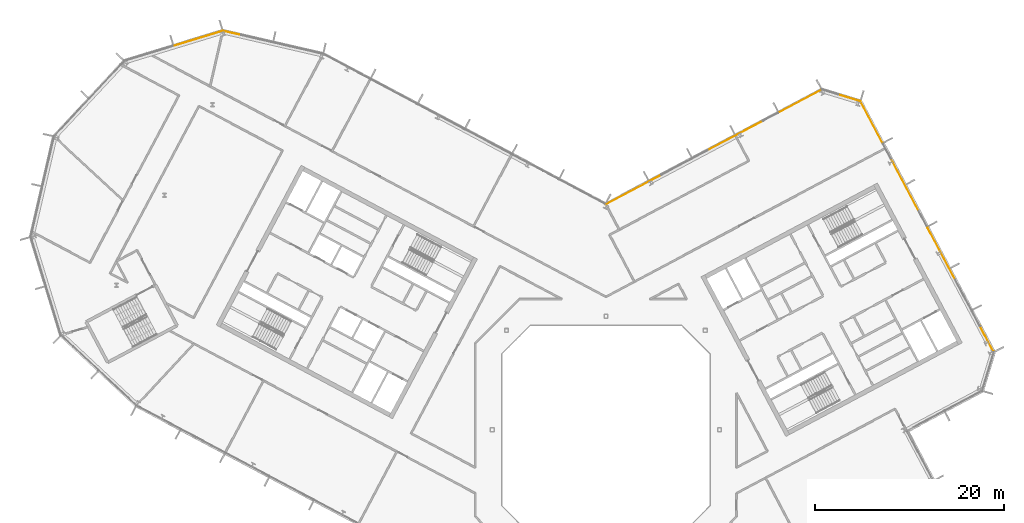
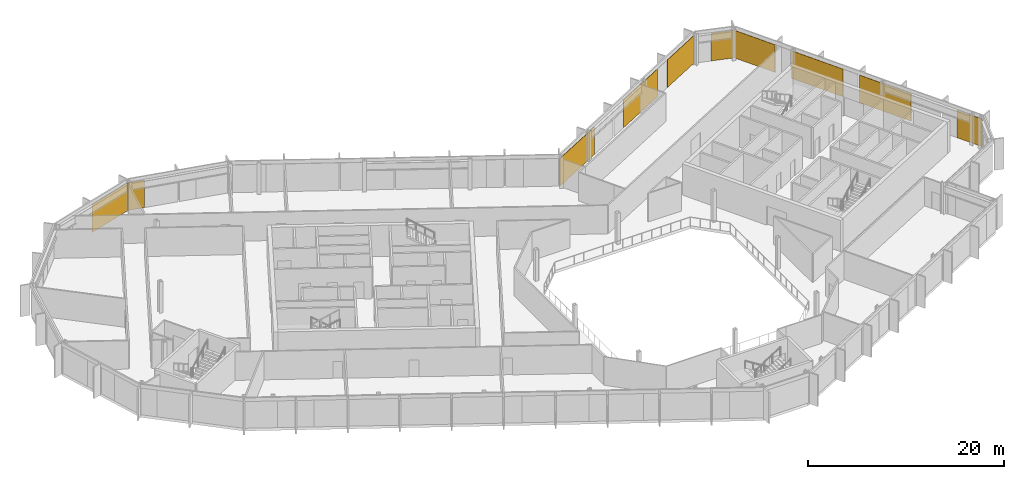
# One storey, part 26 of 26: 10 coverings, 5 elements without a shape of their own.
"""IFC4 building model written with IfcOpenShell, lengths in metres."""

from ifc_helpers import new_model, si_unit, direction, frame, origin, origin_2d, place, context, subcontext, project, spatial, rectangle, extrude, material, layer, layer_set, type_object, element, aggregate, save


model = new_model("IFC4")

# Units and contexts
model_context = context("Model", 3, precision=1e-05, world=origin(), true_north=direction((0.0, 1.0)))
body_context = subcontext(model_context, "Body", "Model", "MODEL_VIEW")
ifc_project = project(units=[si_unit("LENGTHUNIT", "METRE"), si_unit("AREAUNIT", "SQUARE_METRE"), si_unit("VOLUMEUNIT", "CUBIC_METRE"), si_unit("PLANEANGLEUNIT", "RADIAN"), si_unit("MASSUNIT", "GRAM", prefix="KILO")], contexts=[model_context])

# Site, building, storey
site_placement = place(None, origin())
site = spatial("IfcSite", under=ifc_project, at=site_placement, CompositionType="ELEMENT")
building_placement = place(site_placement, origin())
building = spatial("IfcBuilding", under=site, at=building_placement, Name="Cormorant Relay Tower", CompositionType="ELEMENT")
storey_placement = place(building_placement, frame((0.0, 0.0, 300.89990234375)))
storey = spatial("IfcBuildingStorey", under=building, at=storey_placement, Name="L68", CompositionType="ELEMENT", Elevation=300.89990234375)

# Curtain wall, coverings
ifc_material_1 = material(Name="Aluminium 6063-T6 anodised bronze", Category="aluminium")
ifc_layer_1 = layer(ifc_material_1, 0.199951171875)
ifc_layer_set_1 = layer_set([ifc_layer_1], Name="CW1 unitised bronze curtain wall with vertical fins")
curtain_wall_type = type_object("IfcCurtainWallType", Name="CW1 unitised bronze curtain wall with vertical fins", PredefinedType="NOTDEFINED", material=ifc_layer_set_1)
curtain_wall_1_placement = place(storey_placement, origin())
curtain_wall_1 = element("IfcCurtainWall", 1, at=curtain_wall_1_placement, inside=storey, type_object=curtain_wall_type, Name="CW1 curtain wall 6", PredefinedType="NOTDEFINED")
ifc_material_2 = material(Name="Pale bronze anodised aluminium insulated panel", Category="aluminium")
ifc_layer_2 = layer(ifc_material_2, 0.0400390625)
ifc_layer_set_2 = layer_set([ifc_layer_2], Name="CW1 pale bronze insulated panel 40")
covering_type = type_object("IfcCoveringType", Name="CW1 pale bronze insulated panel 40", PredefinedType="CLADDING", material=ifc_layer_set_2)
covering_1_placement = place(storey_placement, frame((40.218017578125, 9.605712890625, 0.0), z_axis=(0.0, 0.0, 1.0), x_axis=(-0.469471562786, 0.882947592859, 0.0)))
covering_1 = element("IfcCovering", 2, at=covering_1_placement, type_object=covering_type, Name="CW1 panel S00", PredefinedType="CLADDING", context=body_context, shape_type="SweptSolid", body=[
    extrude(rectangle(XDim=3.050048828125, YDim=0.0400390625, at=origin_2d()), origin(), (0.0, 0.0, 1.0), 3.449951171875),
])
covering_2_placement = place(storey_placement, frame((35.429443359375, 18.61181640625, 0.0), z_axis=(0.0, 0.0, 1.0), x_axis=(-0.469471562786, 0.882947592859, 0.0)))
covering_2 = element("IfcCovering", 3, at=covering_2_placement, type_object=covering_type, Name="CW1 panel S03", PredefinedType="CLADDING", context=body_context, shape_type="SweptSolid", body=[
    extrude(rectangle(XDim=6.25, YDim=0.0400390625, at=origin_2d()), origin(), (0.0, 0.0, 1.0), 3.449951171875),
])
covering_3_placement = place(storey_placement, frame((31.579833984375, 25.851806640625, 0.0), z_axis=(0.0, 0.0, 1.0), x_axis=(-0.469471562786, 0.882947592859, 0.0)))
covering_3 = element("IfcCovering", 4, at=covering_3_placement, type_object=covering_type, Name="CW1 panel S05", PredefinedType="CLADDING", context=body_context, shape_type="SweptSolid", body=[
    extrude(rectangle(XDim=6.25, YDim=0.0400390625, at=origin_2d()), origin(), (0.0, 0.0, 1.0), 3.449951171875),
])
covering_4_placement = place(storey_placement, frame((28.041015625, 32.507080078125, 0.0), z_axis=(0.0, 0.0, 1.0), x_axis=(-0.469471562786, 0.882947592859, 0.0)))
covering_4 = element("IfcCovering", 5, at=covering_4_placement, type_object=covering_type, Name="CW1 panel S07", PredefinedType="CLADDING", context=body_context, shape_type="SweptSolid", body=[
    extrude(rectangle(XDim=4.925048828125, YDim=0.0400390625, at=origin_2d()), origin(), (0.0, 0.0, 1.0), 3.449951171875),
])
aggregate(curtain_wall_1, [covering_1, covering_2, covering_3, covering_4])

# Curtain wall, covering
curtain_wall_2_placement = place(storey_placement, origin())
curtain_wall_2 = element("IfcCurtainWall", 6, at=curtain_wall_2_placement, inside=storey, type_object=curtain_wall_type, Name="CW1 curtain wall 7", PredefinedType="NOTDEFINED")
covering_5_placement = place(storey_placement, frame((25.66943359375, 35.05908203125, 0.0), z_axis=(0.0, 0.0, 1.0), x_axis=(-0.956304755963, 0.292371704723, 0.0)))
covering_5 = element("IfcCovering", 7, at=covering_5_placement, type_object=covering_type, Name="CW1 panel S00", PredefinedType="CLADDING", context=body_context, shape_type="SweptSolid", body=[
    extrude(rectangle(XDim=2.36767578125, YDim=0.0400390625, at=origin_2d()), origin(), (0.0, 0.0, 1.0), 3.449951171875),
])
aggregate(curtain_wall_2, [covering_5])

# Curtain wall, coverings
curtain_wall_3_placement = place(storey_placement, origin())
curtain_wall_3 = element("IfcCurtainWall", 8, at=curtain_wall_3_placement, inside=storey, type_object=curtain_wall_type, Name="CW1 curtain wall 8", PredefinedType="NOTDEFINED")
covering_6_placement = place(storey_placement, frame((20.519775390625, 34.71728515625, 0.0), z_axis=(0.0, 0.0, 1.0), x_axis=(-0.882947592859, -0.469471562786, 0.0)))
covering_6 = element("IfcCovering", 9, at=covering_6_placement, type_object=covering_type, Name="CW1 panel S00", PredefinedType="CLADDING", context=body_context, shape_type="SweptSolid", body=[
    extrude(rectangle(XDim=5.016845703125, YDim=0.0400390625, at=origin_2d()), origin(), (0.0, 0.0, 1.0), 3.449951171875),
])
covering_7_placement = place(storey_placement, frame((13.6767578125, 31.07861328125, 0.0), z_axis=(0.0, 0.0, 1.0), x_axis=(-0.882947592859, -0.469471562786, 0.0)))
covering_7 = element("IfcCovering", 10, at=covering_7_placement, type_object=covering_type, Name="CW1 panel S02", PredefinedType="CLADDING", context=body_context, shape_type="SweptSolid", body=[
    extrude(rectangle(XDim=6.58349609375, YDim=0.0400390625, at=origin_2d()), origin(), (0.0, 0.0, 1.0), 3.449951171875),
])
covering_8_placement = place(storey_placement, frame((2.93017578125, 25.36474609375, 0.0), z_axis=(0.0, 0.0, 1.0), x_axis=(-0.882947592859, -0.469471562786, 0.0)))
covering_8 = element("IfcCovering", 11, at=covering_8_placement, type_object=covering_type, Name="CW1 panel S05", PredefinedType="CLADDING", context=body_context, shape_type="SweptSolid", body=[
    extrude(rectangle(XDim=6.65869140625, YDim=0.0400390625, at=origin_2d()), origin(), (0.0, 0.0, 1.0), 3.449951171875),
])
aggregate(curtain_wall_3, [covering_6, covering_7, covering_8])

# Curtain wall, covering
curtain_wall_4_placement = place(storey_placement, origin())
curtain_wall_4 = element("IfcCurtainWall", 12, at=curtain_wall_4_placement, inside=storey, type_object=curtain_wall_type, Name="CW1 curtain wall 10", PredefinedType="NOTDEFINED")
covering_9_placement = place(storey_placement, frame((-39.603515625, 41.934814453125, 0.0), z_axis=(0.0, 0.0, 1.0), x_axis=(-0.974370064785, 0.224951054344, 0.0)))
covering_9 = element("IfcCovering", 13, at=covering_9_placement, type_object=covering_type, Name="CW1 panel S03", PredefinedType="CLADDING", context=body_context, shape_type="SweptSolid", body=[
    extrude(rectangle(XDim=1.76025390625, YDim=0.0400390625, at=origin_2d()), origin(), (0.0, 0.0, 1.0), 3.449951171875),
])
aggregate(curtain_wall_4, [covering_9])

curtain_wall_5_placement = place(storey_placement, origin())
curtain_wall_5 = element("IfcCurtainWall", 14, at=curtain_wall_5_placement, inside=storey, type_object=curtain_wall_type, Name="CW1 curtain wall 11", PredefinedType="NOTDEFINED")
covering_10_placement = place(storey_placement, frame((-43.0703125, 41.337890625, 0.0), z_axis=(0.0, 0.0, 1.0), x_axis=(-0.956304755963, -0.292371704723, 0.0)))
covering_10 = element("IfcCovering", 15, at=covering_10_placement, type_object=covering_type, Name="CW1 panel S00", PredefinedType="CLADDING", context=body_context, shape_type="SweptSolid", body=[
    extrude(rectangle(XDim=5.28515625, YDim=0.0400390625, at=origin_2d()), origin(), (0.0, 0.0, 1.0), 3.449951171875),
])
aggregate(curtain_wall_5, [covering_10])

save(model, "model.ifc")
